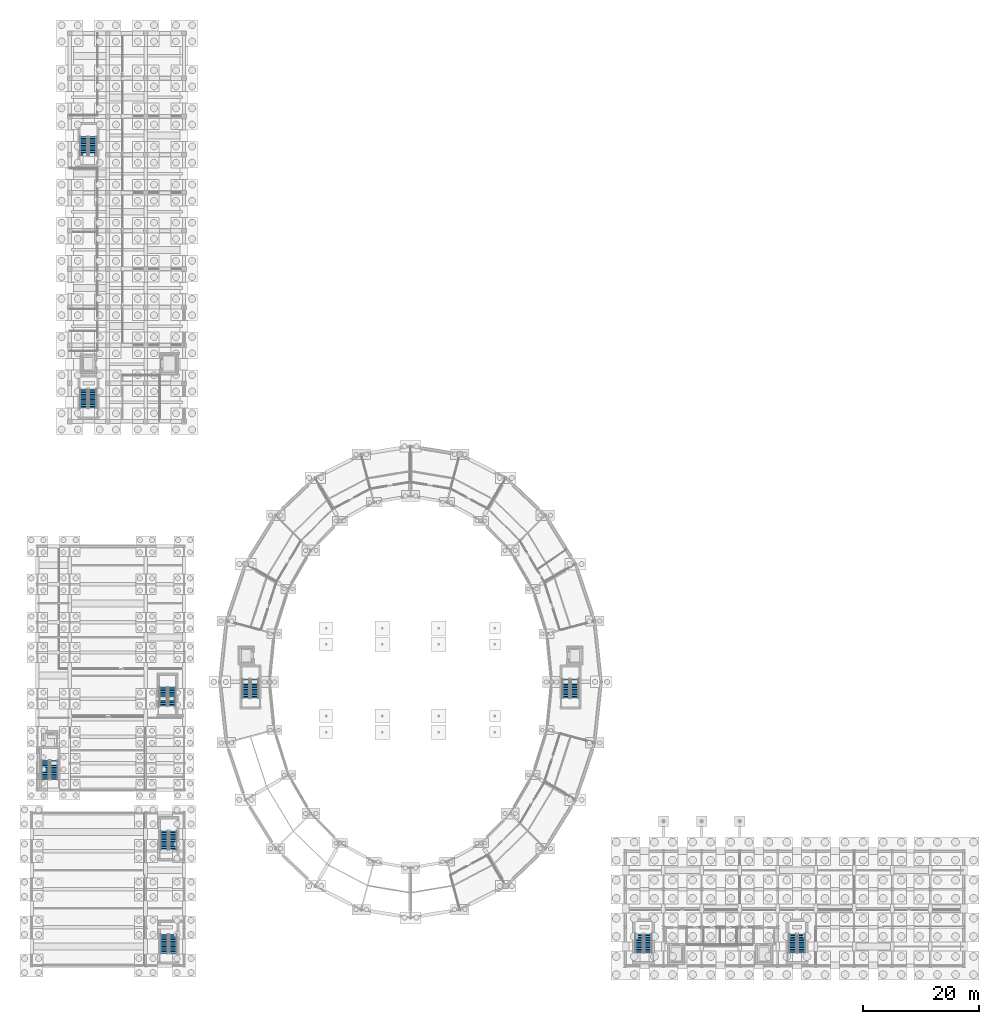
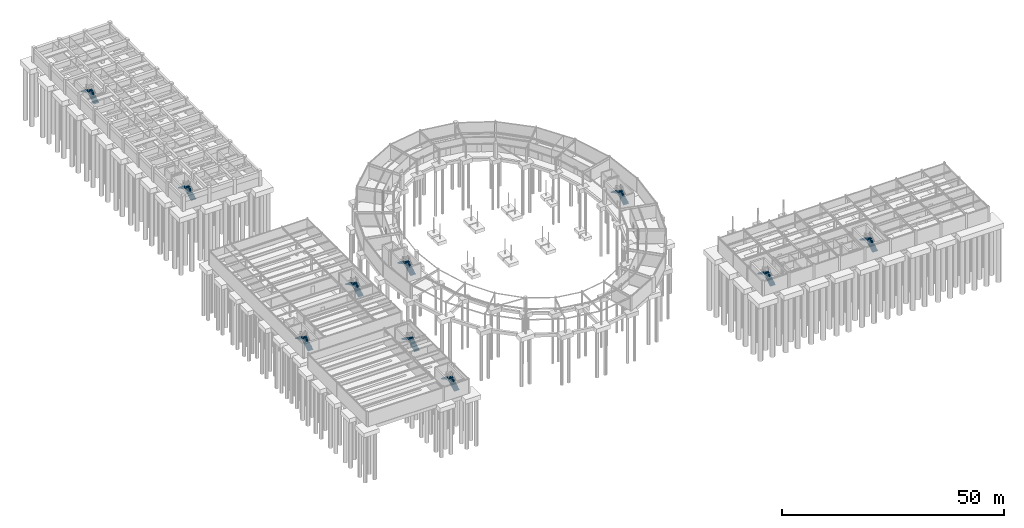
# One storey, part 50 of 58: 20 stair flights, 10 elements without a shape of their own.
"""IFC4 building model written with IfcOpenShell, lengths in metres."""

from ifc_helpers import new_model, si_unit, direction, frame, origin, place, context, subcontext, project, spatial, polyline, outline, extrude, material, type_object, element, aggregate, save


model = new_model("IFC4")

# Units and contexts
model_context = context("Model", 3, precision=1e-05, world=origin(), true_north=direction((0.0, 1.0)))
body_context = subcontext(model_context, "Body", "Model", "MODEL_VIEW")
ifc_project = project(units=[si_unit("LENGTHUNIT", "METRE"), si_unit("AREAUNIT", "SQUARE_METRE"), si_unit("VOLUMEUNIT", "CUBIC_METRE"), si_unit("PLANEANGLEUNIT", "RADIAN"), si_unit("MASSUNIT", "GRAM", prefix="KILO")], contexts=[model_context])

# Site, building, storey
site_placement = place(None, origin())
site = spatial("IfcSite", under=ifc_project, at=site_placement, CompositionType="ELEMENT")
building_placement = place(site_placement, origin())
building = spatial("IfcBuilding", under=site, at=building_placement, Name="Karori Crest Natural Sciences Institute", CompositionType="ELEMENT")
storey_placement = place(building_placement, frame((0.0, 0.0, -4.199951171875)))
storey = spatial("IfcBuildingStorey", under=building, at=storey_placement, Name="B1", CompositionType="ELEMENT", Elevation=-4.199951171875)

# Stair, stair flights
ifc_material = material(Name="Concrete 40 MPa", Category="concrete")
stair_type = type_object("IfcStairType", Name="STT-01", PredefinedType="HALF_TURN_STAIR", material=ifc_material)
stair_1_placement = place(storey_placement, origin())
stair_1 = element("IfcStair", 1, at=stair_1_placement, inside=storey, type_object=stair_type, Name="Protected stair ST-01-B1", PredefinedType="HALF_TURN_STAIR")
stair_flight_type = type_object("IfcStairFlightType", Name="SFT-01", PredefinedType="STRAIGHT", material=ifc_material)
stair_flight_1_placement = place(storey_placement, frame((94.875, 47.10009765625, 0.0), z_axis=(0.0, 0.0, 1.0), x_axis=(0.0, 1.0, 0.0)))
stair_flight_1 = element("IfcStairFlight", 2, at=stair_flight_1_placement, type_object=stair_flight_type, Name="ST-01-B1 flight 1", NumberOfRisers=12, NumberOfTreads=11, PredefinedType="STRAIGHT", RiserHeight=0.175, TreadLength=0.3, context=body_context, shape_type="SweptSolid", body=[
    extrude(outline(polyline([(0.0, 0.0), (0.0, 0.175048828125), (0.300048828125, 0.175048828125), (0.300048828125, 0.35009765625), (0.60009765625, 0.35009765625), (0.60009765625, 0.52490234375), (0.89990234375, 0.52490234375), (0.89990234375, 0.699951171875), (1.199951171875, 0.699951171875), (1.199951171875, 0.875), (1.5, 0.875), (1.5, 1.050048828125), (1.800048828125, 1.050048828125), (1.800048828125, 1.22509765625), (2.10009765625, 1.22509765625), (2.10009765625, 1.39990234375), (2.39990234375, 1.39990234375), (2.39990234375, 1.574951171875), (2.699951171875, 1.574951171875), (2.699951171875, 1.75), (3.0, 1.75), (3.0, 1.925048828125), (3.300048828125, 1.925048828125), (3.300048828125, 2.10009765625), (3.300048828125, 1.739990234375), (0.3173828125, 0.0), (0.0, 0.0)])), frame((0.0, 0.675048828125, 0.0), z_axis=(0.0, -1.0, 0.0), x_axis=(1.0, 0.0, 0.0)), (0.0, 0.0, 1.0), 1.35009765625),
])
stair_flight_2_placement = place(storey_placement, frame((93.324951171875, 50.39990234375, 2.099853515625), z_axis=(0.0, 0.0, 1.0), x_axis=(0.0, -1.0, 0.0)))
stair_flight_2 = element("IfcStairFlight", 3, at=stair_flight_2_placement, type_object=stair_flight_type, Name="ST-01-B1 flight 2", NumberOfRisers=12, NumberOfTreads=11, PredefinedType="STRAIGHT", RiserHeight=0.175, TreadLength=0.3, context=body_context, shape_type="SweptSolid", body=[
    extrude(outline(polyline([(0.0, 0.0), (0.0, 0.175048828125), (0.300048828125, 0.175048828125), (0.300048828125, 0.35009765625), (0.60009765625, 0.35009765625), (0.60009765625, 0.52490234375), (0.89990234375, 0.52490234375), (0.89990234375, 0.699951171875), (1.199951171875, 0.699951171875), (1.199951171875, 0.875), (1.5, 0.875), (1.5, 1.050048828125), (1.800048828125, 1.050048828125), (1.800048828125, 1.22509765625), (2.10009765625, 1.22509765625), (2.10009765625, 1.39990234375), (2.39990234375, 1.39990234375), (2.39990234375, 1.574951171875), (2.699951171875, 1.574951171875), (2.699951171875, 1.75), (3.0, 1.75), (3.0, 1.925048828125), (3.300048828125, 1.925048828125), (3.300048828125, 2.10009765625), (3.300048828125, 1.739990234375), (0.3173828125, 0.0), (0.0, 0.0)])), frame((0.0, 0.675048828125, 0.0), z_axis=(0.0, -1.0, 0.0), x_axis=(1.0, 0.0, 0.0)), (0.0, 0.0, 1.0), 1.35009765625),
])
aggregate(stair_1, [stair_flight_1, stair_flight_2])

stair_2_placement = place(storey_placement, origin())
stair_2 = element("IfcStair", 4, at=stair_2_placement, inside=storey, type_object=stair_type, Name="Protected stair ST-02-B1", PredefinedType="HALF_TURN_STAIR")
stair_flight_3_placement = place(storey_placement, frame((39.47509765625, 47.10009765625, 0.0), z_axis=(0.0, 0.0, 1.0), x_axis=(0.0, 1.0, 0.0)))
stair_flight_3 = element("IfcStairFlight", 5, at=stair_flight_3_placement, type_object=stair_flight_type, Name="ST-02-B1 flight 1", NumberOfRisers=12, NumberOfTreads=11, PredefinedType="STRAIGHT", RiserHeight=0.175, TreadLength=0.3, context=body_context, shape_type="SweptSolid", body=[
    extrude(outline(polyline([(0.0, 0.0), (0.0, 0.175048828125), (0.300048828125, 0.175048828125), (0.300048828125, 0.35009765625), (0.60009765625, 0.35009765625), (0.60009765625, 0.52490234375), (0.89990234375, 0.52490234375), (0.89990234375, 0.699951171875), (1.199951171875, 0.699951171875), (1.199951171875, 0.875), (1.5, 0.875), (1.5, 1.050048828125), (1.800048828125, 1.050048828125), (1.800048828125, 1.22509765625), (2.10009765625, 1.22509765625), (2.10009765625, 1.39990234375), (2.39990234375, 1.39990234375), (2.39990234375, 1.574951171875), (2.699951171875, 1.574951171875), (2.699951171875, 1.75), (3.0, 1.75), (3.0, 1.925048828125), (3.300048828125, 1.925048828125), (3.300048828125, 2.10009765625), (3.300048828125, 1.739990234375), (0.3173828125, 0.0), (0.0, 0.0)])), frame((0.0, 0.675048828125, 0.0), z_axis=(0.0, -1.0, 0.0), x_axis=(1.0, 0.0, 0.0)), (0.0, 0.0, 1.0), 1.35009765625),
])
stair_flight_4_placement = place(storey_placement, frame((37.925048828125, 50.39990234375, 2.099853515625), z_axis=(0.0, 0.0, 1.0), x_axis=(0.0, -1.0, 0.0)))
stair_flight_4 = element("IfcStairFlight", 6, at=stair_flight_4_placement, type_object=stair_flight_type, Name="ST-02-B1 flight 2", NumberOfRisers=12, NumberOfTreads=11, PredefinedType="STRAIGHT", RiserHeight=0.175, TreadLength=0.3, context=body_context, shape_type="SweptSolid", body=[
    extrude(outline(polyline([(0.0, 0.0), (0.0, 0.175048828125), (0.300048828125, 0.175048828125), (0.300048828125, 0.35009765625), (0.60009765625, 0.35009765625), (0.60009765625, 0.52490234375), (0.89990234375, 0.52490234375), (0.89990234375, 0.699951171875), (1.199951171875, 0.699951171875), (1.199951171875, 0.875), (1.5, 0.875), (1.5, 1.050048828125), (1.800048828125, 1.050048828125), (1.800048828125, 1.22509765625), (2.10009765625, 1.22509765625), (2.10009765625, 1.39990234375), (2.39990234375, 1.39990234375), (2.39990234375, 1.574951171875), (2.699951171875, 1.574951171875), (2.699951171875, 1.75), (3.0, 1.75), (3.0, 1.925048828125), (3.300048828125, 1.925048828125), (3.300048828125, 2.10009765625), (3.300048828125, 1.739990234375), (0.3173828125, 0.0), (0.0, 0.0)])), frame((0.0, 0.675048828125, 0.0), z_axis=(0.0, -1.0, 0.0), x_axis=(1.0, 0.0, 0.0)), (0.0, 0.0, 1.0), 1.35009765625),
])
aggregate(stair_2, [stair_flight_3, stair_flight_4])

stair_3_placement = place(storey_placement, origin())
stair_3 = element("IfcStair", 7, at=stair_3_placement, inside=storey, type_object=stair_type, Name="Protected stair ST-03-B1", PredefinedType="HALF_TURN_STAIR")
stair_flight_5_placement = place(storey_placement, frame((107.52490234375, 3.0, 0.0), z_axis=(0.0, 0.0, 1.0), x_axis=(0.0, 1.0, 0.0)))
stair_flight_5 = element("IfcStairFlight", 8, at=stair_flight_5_placement, type_object=stair_flight_type, Name="ST-03-B1 flight 1", NumberOfRisers=12, NumberOfTreads=11, PredefinedType="STRAIGHT", RiserHeight=0.175, TreadLength=0.3, context=body_context, shape_type="SweptSolid", body=[
    extrude(outline(polyline([(0.0, 0.0), (0.0, 0.175048828125), (0.300048828125, 0.175048828125), (0.300048828125, 0.35009765625), (0.60009765625, 0.35009765625), (0.60009765625, 0.52490234375), (0.89990234375, 0.52490234375), (0.89990234375, 0.699951171875), (1.199951171875, 0.699951171875), (1.199951171875, 0.875), (1.5, 0.875), (1.5, 1.050048828125), (1.800048828125, 1.050048828125), (1.800048828125, 1.22509765625), (2.10009765625, 1.22509765625), (2.10009765625, 1.39990234375), (2.39990234375, 1.39990234375), (2.39990234375, 1.574951171875), (2.699951171875, 1.574951171875), (2.699951171875, 1.75), (3.0, 1.75), (3.0, 1.925048828125), (3.300048828125, 1.925048828125), (3.300048828125, 2.10009765625), (3.300048828125, 1.739990234375), (0.3173828125, 0.0), (0.0, 0.0)])), frame((0.0, 0.675048828125, 0.0), z_axis=(0.0, -1.0, 0.0), x_axis=(1.0, 0.0, 0.0)), (0.0, 0.0, 1.0), 1.35009765625),
])
stair_flight_6_placement = place(storey_placement, frame((105.97509765625, 6.300048828125, 2.099853515625), z_axis=(0.0, 0.0, 1.0), x_axis=(0.0, -1.0, 0.0)))
stair_flight_6 = element("IfcStairFlight", 9, at=stair_flight_6_placement, type_object=stair_flight_type, Name="ST-03-B1 flight 2", NumberOfRisers=12, NumberOfTreads=11, PredefinedType="STRAIGHT", RiserHeight=0.175, TreadLength=0.3, context=body_context, shape_type="SweptSolid", body=[
    extrude(outline(polyline([(0.0, 0.0), (0.0, 0.175048828125), (0.300048828125, 0.175048828125), (0.300048828125, 0.35009765625), (0.60009765625, 0.35009765625), (0.60009765625, 0.52490234375), (0.89990234375, 0.52490234375), (0.89990234375, 0.699951171875), (1.199951171875, 0.699951171875), (1.199951171875, 0.875), (1.5, 0.875), (1.5, 1.050048828125), (1.800048828125, 1.050048828125), (1.800048828125, 1.22509765625), (2.10009765625, 1.22509765625), (2.10009765625, 1.39990234375), (2.39990234375, 1.39990234375), (2.39990234375, 1.574951171875), (2.699951171875, 1.574951171875), (2.699951171875, 1.75), (3.0, 1.75), (3.0, 1.925048828125), (3.300048828125, 1.925048828125), (3.300048828125, 2.10009765625), (3.300048828125, 1.739990234375), (0.3173828125, 0.0), (0.0, 0.0)])), frame((0.0, 0.675048828125, 0.0), z_axis=(0.0, -1.0, 0.0), x_axis=(1.0, 0.0, 0.0)), (0.0, 0.0, 1.0), 1.35009765625),
])
aggregate(stair_3, [stair_flight_5, stair_flight_6])

stair_4_placement = place(storey_placement, origin())
stair_4 = element("IfcStair", 10, at=stair_4_placement, inside=storey, type_object=stair_type, Name="Protected stair ST-04-B1", PredefinedType="HALF_TURN_STAIR")
stair_flight_7_placement = place(storey_placement, frame((134.125, 3.0, 0.0), z_axis=(0.0, 0.0, 1.0), x_axis=(0.0, 1.0, 0.0)))
stair_flight_7 = element("IfcStairFlight", 11, at=stair_flight_7_placement, type_object=stair_flight_type, Name="ST-04-B1 flight 1", NumberOfRisers=12, NumberOfTreads=11, PredefinedType="STRAIGHT", RiserHeight=0.175, TreadLength=0.3, context=body_context, shape_type="SweptSolid", body=[
    extrude(outline(polyline([(0.0, 0.0), (0.0, 0.175048828125), (0.300048828125, 0.175048828125), (0.300048828125, 0.35009765625), (0.60009765625, 0.35009765625), (0.60009765625, 0.52490234375), (0.89990234375, 0.52490234375), (0.89990234375, 0.699951171875), (1.199951171875, 0.699951171875), (1.199951171875, 0.875), (1.5, 0.875), (1.5, 1.050048828125), (1.800048828125, 1.050048828125), (1.800048828125, 1.22509765625), (2.10009765625, 1.22509765625), (2.10009765625, 1.39990234375), (2.39990234375, 1.39990234375), (2.39990234375, 1.574951171875), (2.699951171875, 1.574951171875), (2.699951171875, 1.75), (3.0, 1.75), (3.0, 1.925048828125), (3.300048828125, 1.925048828125), (3.300048828125, 2.10009765625), (3.300048828125, 1.739990234375), (0.3173828125, 0.0), (0.0, 0.0)])), frame((0.0, 0.675048828125, 0.0), z_axis=(0.0, -1.0, 0.0), x_axis=(1.0, 0.0, 0.0)), (0.0, 0.0, 1.0), 1.35009765625),
])
stair_flight_8_placement = place(storey_placement, frame((132.574951171875, 6.300048828125, 2.099853515625), z_axis=(0.0, 0.0, 1.0), x_axis=(0.0, -1.0, 0.0)))
stair_flight_8 = element("IfcStairFlight", 12, at=stair_flight_8_placement, type_object=stair_flight_type, Name="ST-04-B1 flight 2", NumberOfRisers=12, NumberOfTreads=11, PredefinedType="STRAIGHT", RiserHeight=0.175, TreadLength=0.3, context=body_context, shape_type="SweptSolid", body=[
    extrude(outline(polyline([(0.0, 0.0), (0.0, 0.175048828125), (0.300048828125, 0.175048828125), (0.300048828125, 0.35009765625), (0.60009765625, 0.35009765625), (0.60009765625, 0.52490234375), (0.89990234375, 0.52490234375), (0.89990234375, 0.699951171875), (1.199951171875, 0.699951171875), (1.199951171875, 0.875), (1.5, 0.875), (1.5, 1.050048828125), (1.800048828125, 1.050048828125), (1.800048828125, 1.22509765625), (2.10009765625, 1.22509765625), (2.10009765625, 1.39990234375), (2.39990234375, 1.39990234375), (2.39990234375, 1.574951171875), (2.699951171875, 1.574951171875), (2.699951171875, 1.75), (3.0, 1.75), (3.0, 1.925048828125), (3.300048828125, 1.925048828125), (3.300048828125, 2.10009765625), (3.300048828125, 1.739990234375), (0.3173828125, 0.0), (0.0, 0.0)])), frame((0.0, 0.675048828125, 0.0), z_axis=(0.0, -1.0, 0.0), x_axis=(1.0, 0.0, 0.0)), (0.0, 0.0, 1.0), 1.35009765625),
])
aggregate(stair_4, [stair_flight_7, stair_flight_8])

stair_5_placement = place(storey_placement, origin())
stair_5 = element("IfcStair", 13, at=stair_5_placement, inside=storey, type_object=stair_type, Name="Protected stair ST-05-B1", PredefinedType="HALF_TURN_STAIR")
stair_flight_9_placement = place(storey_placement, frame((11.425048828125, 97.300048828125, 0.0), z_axis=(0.0, 0.0, 1.0), x_axis=(0.0, 1.0, 0.0)))
stair_flight_9 = element("IfcStairFlight", 14, at=stair_flight_9_placement, type_object=stair_flight_type, Name="ST-05-B1 flight 1", NumberOfRisers=12, NumberOfTreads=11, PredefinedType="STRAIGHT", RiserHeight=0.175, TreadLength=0.3, context=body_context, shape_type="SweptSolid", body=[
    extrude(outline(polyline([(0.0, 0.0), (0.0, 0.175048828125), (0.300048828125, 0.175048828125), (0.300048828125, 0.35009765625), (0.60009765625, 0.35009765625), (0.60009765625, 0.52490234375), (0.89990234375, 0.52490234375), (0.89990234375, 0.699951171875), (1.199951171875, 0.699951171875), (1.199951171875, 0.875), (1.5, 0.875), (1.5, 1.050048828125), (1.800048828125, 1.050048828125), (1.800048828125, 1.22509765625), (2.10009765625, 1.22509765625), (2.10009765625, 1.39990234375), (2.39990234375, 1.39990234375), (2.39990234375, 1.574951171875), (2.699951171875, 1.574951171875), (2.699951171875, 1.75), (3.0, 1.75), (3.0, 1.925048828125), (3.300048828125, 1.925048828125), (3.300048828125, 2.10009765625), (3.300048828125, 1.739990234375), (0.3173828125, 0.0), (0.0, 0.0)])), frame((0.0, 0.675048828125, 0.0), z_axis=(0.0, -1.0, 0.0), x_axis=(1.0, 0.0, 0.0)), (0.0, 0.0, 1.0), 1.35009765625),
])
stair_flight_10_placement = place(storey_placement, frame((9.875, 100.60009765625, 2.099853515625), z_axis=(0.0, 0.0, 1.0), x_axis=(0.0, -1.0, 0.0)))
stair_flight_10 = element("IfcStairFlight", 15, at=stair_flight_10_placement, type_object=stair_flight_type, Name="ST-05-B1 flight 2", NumberOfRisers=12, NumberOfTreads=11, PredefinedType="STRAIGHT", RiserHeight=0.175, TreadLength=0.3, context=body_context, shape_type="SweptSolid", body=[
    extrude(outline(polyline([(0.0, 0.0), (0.0, 0.175048828125), (0.300048828125, 0.175048828125), (0.300048828125, 0.35009765625), (0.60009765625, 0.35009765625), (0.60009765625, 0.52490234375), (0.89990234375, 0.52490234375), (0.89990234375, 0.699951171875), (1.199951171875, 0.699951171875), (1.199951171875, 0.875), (1.5, 0.875), (1.5, 1.050048828125), (1.800048828125, 1.050048828125), (1.800048828125, 1.22509765625), (2.10009765625, 1.22509765625), (2.10009765625, 1.39990234375), (2.39990234375, 1.39990234375), (2.39990234375, 1.574951171875), (2.699951171875, 1.574951171875), (2.699951171875, 1.75), (3.0, 1.75), (3.0, 1.925048828125), (3.300048828125, 1.925048828125), (3.300048828125, 2.10009765625), (3.300048828125, 1.739990234375), (0.3173828125, 0.0), (0.0, 0.0)])), frame((0.0, 0.675048828125, 0.0), z_axis=(0.0, -1.0, 0.0), x_axis=(1.0, 0.0, 0.0)), (0.0, 0.0, 1.0), 1.35009765625),
])
aggregate(stair_5, [stair_flight_9, stair_flight_10])

stair_6_placement = place(storey_placement, origin())
stair_6 = element("IfcStair", 16, at=stair_6_placement, inside=storey, type_object=stair_type, Name="Protected stair ST-06-B1", PredefinedType="HALF_TURN_STAIR")
stair_flight_11_placement = place(storey_placement, frame((11.425048828125, 141.0, 0.0), z_axis=(0.0, 0.0, 1.0), x_axis=(0.0, 1.0, 0.0)))
stair_flight_11 = element("IfcStairFlight", 17, at=stair_flight_11_placement, type_object=stair_flight_type, Name="ST-06-B1 flight 1", NumberOfRisers=12, NumberOfTreads=11, PredefinedType="STRAIGHT", RiserHeight=0.175, TreadLength=0.3, context=body_context, shape_type="SweptSolid", body=[
    extrude(outline(polyline([(0.0, 0.0), (0.0, 0.175048828125), (0.300048828125, 0.175048828125), (0.300048828125, 0.35009765625), (0.60009765625, 0.35009765625), (0.60009765625, 0.52490234375), (0.89990234375, 0.52490234375), (0.89990234375, 0.699951171875), (1.199951171875, 0.699951171875), (1.199951171875, 0.875), (1.5, 0.875), (1.5, 1.050048828125), (1.800048828125, 1.050048828125), (1.800048828125, 1.22509765625), (2.10009765625, 1.22509765625), (2.10009765625, 1.39990234375), (2.39990234375, 1.39990234375), (2.39990234375, 1.574951171875), (2.699951171875, 1.574951171875), (2.699951171875, 1.75), (3.0, 1.75), (3.0, 1.925048828125), (3.300048828125, 1.925048828125), (3.300048828125, 2.10009765625), (3.300048828125, 1.739990234375), (0.3173828125, 0.0), (0.0, 0.0)])), frame((0.0, 0.675048828125, 0.0), z_axis=(0.0, -1.0, 0.0), x_axis=(1.0, 0.0, 0.0)), (0.0, 0.0, 1.0), 1.35009765625),
])
stair_flight_12_placement = place(storey_placement, frame((9.875, 144.300048828125, 2.099853515625), z_axis=(0.0, 0.0, 1.0), x_axis=(0.0, -1.0, 0.0)))
stair_flight_12 = element("IfcStairFlight", 18, at=stair_flight_12_placement, type_object=stair_flight_type, Name="ST-06-B1 flight 2", NumberOfRisers=12, NumberOfTreads=11, PredefinedType="STRAIGHT", RiserHeight=0.175, TreadLength=0.3, context=body_context, shape_type="SweptSolid", body=[
    extrude(outline(polyline([(0.0, 0.0), (0.0, 0.175048828125), (0.300048828125, 0.175048828125), (0.300048828125, 0.35009765625), (0.60009765625, 0.35009765625), (0.60009765625, 0.52490234375), (0.89990234375, 0.52490234375), (0.89990234375, 0.699951171875), (1.199951171875, 0.699951171875), (1.199951171875, 0.875), (1.5, 0.875), (1.5, 1.050048828125), (1.800048828125, 1.050048828125), (1.800048828125, 1.22509765625), (2.10009765625, 1.22509765625), (2.10009765625, 1.39990234375), (2.39990234375, 1.39990234375), (2.39990234375, 1.574951171875), (2.699951171875, 1.574951171875), (2.699951171875, 1.75), (3.0, 1.75), (3.0, 1.925048828125), (3.300048828125, 1.925048828125), (3.300048828125, 2.10009765625), (3.300048828125, 1.739990234375), (0.3173828125, 0.0), (0.0, 0.0)])), frame((0.0, 0.675048828125, 0.0), z_axis=(0.0, -1.0, 0.0), x_axis=(1.0, 0.0, 0.0)), (0.0, 0.0, 1.0), 1.35009765625),
])
aggregate(stair_6, [stair_flight_11, stair_flight_12])

stair_7_placement = place(storey_placement, origin())
stair_7 = element("IfcStair", 19, at=stair_7_placement, inside=storey, type_object=stair_type, Name="Protected stair ST-07-B1", PredefinedType="HALF_TURN_STAIR")
stair_flight_13_placement = place(storey_placement, frame((4.72509765625, 33.0, 0.0), z_axis=(0.0, 0.0, 1.0), x_axis=(0.0, 1.0, 0.0)))
stair_flight_13 = element("IfcStairFlight", 20, at=stair_flight_13_placement, type_object=stair_flight_type, Name="ST-07-B1 flight 1", NumberOfRisers=12, NumberOfTreads=11, PredefinedType="STRAIGHT", RiserHeight=0.175, TreadLength=0.3, context=body_context, shape_type="SweptSolid", body=[
    extrude(outline(polyline([(0.0, 0.0), (0.0, 0.175048828125), (0.300048828125, 0.175048828125), (0.300048828125, 0.35009765625), (0.60009765625, 0.35009765625), (0.60009765625, 0.52490234375), (0.89990234375, 0.52490234375), (0.89990234375, 0.699951171875), (1.199951171875, 0.699951171875), (1.199951171875, 0.875), (1.5, 0.875), (1.5, 1.050048828125), (1.800048828125, 1.050048828125), (1.800048828125, 1.22509765625), (2.10009765625, 1.22509765625), (2.10009765625, 1.39990234375), (2.39990234375, 1.39990234375), (2.39990234375, 1.574951171875), (2.699951171875, 1.574951171875), (2.699951171875, 1.75), (3.0, 1.75), (3.0, 1.925048828125), (3.300048828125, 1.925048828125), (3.300048828125, 2.10009765625), (3.300048828125, 1.739990234375), (0.3173828125, 0.0), (0.0, 0.0)])), frame((0.0, 0.675048828125, 0.0), z_axis=(0.0, -1.0, 0.0), x_axis=(1.0, 0.0, 0.0)), (0.0, 0.0, 1.0), 1.35009765625),
])
stair_flight_14_placement = place(storey_placement, frame((3.175048828125, 36.300048828125, 2.099853515625), z_axis=(0.0, 0.0, 1.0), x_axis=(0.0, -1.0, 0.0)))
stair_flight_14 = element("IfcStairFlight", 21, at=stair_flight_14_placement, type_object=stair_flight_type, Name="ST-07-B1 flight 2", NumberOfRisers=12, NumberOfTreads=11, PredefinedType="STRAIGHT", RiserHeight=0.175, TreadLength=0.3, context=body_context, shape_type="SweptSolid", body=[
    extrude(outline(polyline([(0.0, 0.0), (0.0, 0.175048828125), (0.300048828125, 0.175048828125), (0.300048828125, 0.35009765625), (0.60009765625, 0.35009765625), (0.60009765625, 0.52490234375), (0.89990234375, 0.52490234375), (0.89990234375, 0.699951171875), (1.199951171875, 0.699951171875), (1.199951171875, 0.875), (1.5, 0.875), (1.5, 1.050048828125), (1.800048828125, 1.050048828125), (1.800048828125, 1.22509765625), (2.10009765625, 1.22509765625), (2.10009765625, 1.39990234375), (2.39990234375, 1.39990234375), (2.39990234375, 1.574951171875), (2.699951171875, 1.574951171875), (2.699951171875, 1.75), (3.0, 1.75), (3.0, 1.925048828125), (3.300048828125, 1.925048828125), (3.300048828125, 2.10009765625), (3.300048828125, 1.739990234375), (0.3173828125, 0.0), (0.0, 0.0)])), frame((0.0, 0.675048828125, 0.0), z_axis=(0.0, -1.0, 0.0), x_axis=(1.0, 0.0, 0.0)), (0.0, 0.0, 1.0), 1.35009765625),
])
aggregate(stair_7, [stair_flight_13, stair_flight_14])

stair_8_placement = place(storey_placement, origin())
stair_8 = element("IfcStair", 22, at=stair_8_placement, inside=storey, type_object=stair_type, Name="Protected stair ST-08-B1", PredefinedType="HALF_TURN_STAIR")
stair_flight_15_placement = place(storey_placement, frame((25.125, 45.699951171875, 0.0), z_axis=(0.0, 0.0, 1.0), x_axis=(0.0, 1.0, 0.0)))
stair_flight_15 = element("IfcStairFlight", 23, at=stair_flight_15_placement, type_object=stair_flight_type, Name="ST-08-B1 flight 1", NumberOfRisers=12, NumberOfTreads=11, PredefinedType="STRAIGHT", RiserHeight=0.175, TreadLength=0.3, context=body_context, shape_type="SweptSolid", body=[
    extrude(outline(polyline([(0.0, 0.0), (0.0, 0.175048828125), (0.300048828125, 0.175048828125), (0.300048828125, 0.35009765625), (0.60009765625, 0.35009765625), (0.60009765625, 0.52490234375), (0.89990234375, 0.52490234375), (0.89990234375, 0.699951171875), (1.199951171875, 0.699951171875), (1.199951171875, 0.875), (1.5, 0.875), (1.5, 1.050048828125), (1.800048828125, 1.050048828125), (1.800048828125, 1.22509765625), (2.10009765625, 1.22509765625), (2.10009765625, 1.39990234375), (2.39990234375, 1.39990234375), (2.39990234375, 1.574951171875), (2.699951171875, 1.574951171875), (2.699951171875, 1.75), (3.0, 1.75), (3.0, 1.925048828125), (3.300048828125, 1.925048828125), (3.300048828125, 2.10009765625), (3.300048828125, 1.739990234375), (0.3173828125, 0.0), (0.0, 0.0)])), frame((0.0, 0.675048828125, 0.0), z_axis=(0.0, -1.0, 0.0), x_axis=(1.0, 0.0, 0.0)), (0.0, 0.0, 1.0), 1.35009765625),
])
stair_flight_16_placement = place(storey_placement, frame((23.574951171875, 49.0, 2.099853515625), z_axis=(0.0, 0.0, 1.0), x_axis=(0.0, -1.0, 0.0)))
stair_flight_16 = element("IfcStairFlight", 24, at=stair_flight_16_placement, type_object=stair_flight_type, Name="ST-08-B1 flight 2", NumberOfRisers=12, NumberOfTreads=11, PredefinedType="STRAIGHT", RiserHeight=0.175, TreadLength=0.3, context=body_context, shape_type="SweptSolid", body=[
    extrude(outline(polyline([(0.0, 0.0), (0.0, 0.175048828125), (0.300048828125, 0.175048828125), (0.300048828125, 0.35009765625), (0.60009765625, 0.35009765625), (0.60009765625, 0.52490234375), (0.89990234375, 0.52490234375), (0.89990234375, 0.699951171875), (1.199951171875, 0.699951171875), (1.199951171875, 0.875), (1.5, 0.875), (1.5, 1.050048828125), (1.800048828125, 1.050048828125), (1.800048828125, 1.22509765625), (2.10009765625, 1.22509765625), (2.10009765625, 1.39990234375), (2.39990234375, 1.39990234375), (2.39990234375, 1.574951171875), (2.699951171875, 1.574951171875), (2.699951171875, 1.75), (3.0, 1.75), (3.0, 1.925048828125), (3.300048828125, 1.925048828125), (3.300048828125, 2.10009765625), (3.300048828125, 1.739990234375), (0.3173828125, 0.0), (0.0, 0.0)])), frame((0.0, 0.675048828125, 0.0), z_axis=(0.0, -1.0, 0.0), x_axis=(1.0, 0.0, 0.0)), (0.0, 0.0, 1.0), 1.35009765625),
])
aggregate(stair_8, [stair_flight_15, stair_flight_16])

stair_9_placement = place(storey_placement, origin())
stair_9 = element("IfcStair", 25, at=stair_9_placement, inside=storey, type_object=stair_type, Name="Protected stair ST-09-B1", PredefinedType="HALF_TURN_STAIR")
stair_flight_17_placement = place(storey_placement, frame((25.324951171875, 2.89990234375, 0.0), z_axis=(0.0, 0.0, 1.0), x_axis=(0.0, 1.0, 0.0)))
stair_flight_17 = element("IfcStairFlight", 26, at=stair_flight_17_placement, type_object=stair_flight_type, Name="ST-09-B1 flight 1", NumberOfRisers=12, NumberOfTreads=11, PredefinedType="STRAIGHT", RiserHeight=0.175, TreadLength=0.3, context=body_context, shape_type="SweptSolid", body=[
    extrude(outline(polyline([(0.0, 0.0), (0.0, 0.175048828125), (0.300048828125, 0.175048828125), (0.300048828125, 0.35009765625), (0.60009765625, 0.35009765625), (0.60009765625, 0.52490234375), (0.89990234375, 0.52490234375), (0.89990234375, 0.699951171875), (1.199951171875, 0.699951171875), (1.199951171875, 0.875), (1.5, 0.875), (1.5, 1.050048828125), (1.800048828125, 1.050048828125), (1.800048828125, 1.22509765625), (2.10009765625, 1.22509765625), (2.10009765625, 1.39990234375), (2.39990234375, 1.39990234375), (2.39990234375, 1.574951171875), (2.699951171875, 1.574951171875), (2.699951171875, 1.75), (3.0, 1.75), (3.0, 1.925048828125), (3.300048828125, 1.925048828125), (3.300048828125, 2.10009765625), (3.300048828125, 1.739990234375), (0.3173828125, 0.0), (0.0, 0.0)])), frame((0.0, 0.675048828125, 0.0), z_axis=(0.0, -1.0, 0.0), x_axis=(1.0, 0.0, 0.0)), (0.0, 0.0, 1.0), 1.35009765625),
])
stair_flight_18_placement = place(storey_placement, frame((23.77490234375, 6.199951171875, 2.099853515625), z_axis=(0.0, 0.0, 1.0), x_axis=(0.0, -1.0, 0.0)))
stair_flight_18 = element("IfcStairFlight", 27, at=stair_flight_18_placement, type_object=stair_flight_type, Name="ST-09-B1 flight 2", NumberOfRisers=12, NumberOfTreads=11, PredefinedType="STRAIGHT", RiserHeight=0.175, TreadLength=0.3, context=body_context, shape_type="SweptSolid", body=[
    extrude(outline(polyline([(0.0, 0.0), (0.0, 0.175048828125), (0.300048828125, 0.175048828125), (0.300048828125, 0.35009765625), (0.60009765625, 0.35009765625), (0.60009765625, 0.52490234375), (0.89990234375, 0.52490234375), (0.89990234375, 0.699951171875), (1.199951171875, 0.699951171875), (1.199951171875, 0.875), (1.5, 0.875), (1.5, 1.050048828125), (1.800048828125, 1.050048828125), (1.800048828125, 1.22509765625), (2.10009765625, 1.22509765625), (2.10009765625, 1.39990234375), (2.39990234375, 1.39990234375), (2.39990234375, 1.574951171875), (2.699951171875, 1.574951171875), (2.699951171875, 1.75), (3.0, 1.75), (3.0, 1.925048828125), (3.300048828125, 1.925048828125), (3.300048828125, 2.10009765625), (3.300048828125, 1.739990234375), (0.3173828125, 0.0), (0.0, 0.0)])), frame((0.0, 0.675048828125, 0.0), z_axis=(0.0, -1.0, 0.0), x_axis=(1.0, 0.0, 0.0)), (0.0, 0.0, 1.0), 1.35009765625),
])
aggregate(stair_9, [stair_flight_17, stair_flight_18])

stair_10_placement = place(storey_placement, origin())
stair_10 = element("IfcStair", 28, at=stair_10_placement, inside=storey, type_object=stair_type, Name="Protected stair ST-10-B1", PredefinedType="HALF_TURN_STAIR")
stair_flight_19_placement = place(storey_placement, frame((25.324951171875, 20.800048828125, 0.0), z_axis=(0.0, 0.0, 1.0), x_axis=(0.0, 1.0, 0.0)))
stair_flight_19 = element("IfcStairFlight", 29, at=stair_flight_19_placement, type_object=stair_flight_type, Name="ST-10-B1 flight 1", NumberOfRisers=12, NumberOfTreads=11, PredefinedType="STRAIGHT", RiserHeight=0.175, TreadLength=0.3, context=body_context, shape_type="SweptSolid", body=[
    extrude(outline(polyline([(0.0, 0.0), (0.0, 0.175048828125), (0.300048828125, 0.175048828125), (0.300048828125, 0.35009765625), (0.60009765625, 0.35009765625), (0.60009765625, 0.52490234375), (0.89990234375, 0.52490234375), (0.89990234375, 0.699951171875), (1.199951171875, 0.699951171875), (1.199951171875, 0.875), (1.5, 0.875), (1.5, 1.050048828125), (1.800048828125, 1.050048828125), (1.800048828125, 1.22509765625), (2.10009765625, 1.22509765625), (2.10009765625, 1.39990234375), (2.39990234375, 1.39990234375), (2.39990234375, 1.574951171875), (2.699951171875, 1.574951171875), (2.699951171875, 1.75), (3.0, 1.75), (3.0, 1.925048828125), (3.300048828125, 1.925048828125), (3.300048828125, 2.10009765625), (3.300048828125, 1.739990234375), (0.3173828125, 0.0), (0.0, 0.0)])), frame((0.0, 0.675048828125, 0.0), z_axis=(0.0, -1.0, 0.0), x_axis=(1.0, 0.0, 0.0)), (0.0, 0.0, 1.0), 1.35009765625),
])
stair_flight_20_placement = place(storey_placement, frame((23.77490234375, 24.10009765625, 2.099853515625), z_axis=(0.0, 0.0, 1.0), x_axis=(0.0, -1.0, 0.0)))
stair_flight_20 = element("IfcStairFlight", 30, at=stair_flight_20_placement, type_object=stair_flight_type, Name="ST-10-B1 flight 2", NumberOfRisers=12, NumberOfTreads=11, PredefinedType="STRAIGHT", RiserHeight=0.175, TreadLength=0.3, context=body_context, shape_type="SweptSolid", body=[
    extrude(outline(polyline([(0.0, 0.0), (0.0, 0.175048828125), (0.300048828125, 0.175048828125), (0.300048828125, 0.35009765625), (0.60009765625, 0.35009765625), (0.60009765625, 0.52490234375), (0.89990234375, 0.52490234375), (0.89990234375, 0.699951171875), (1.199951171875, 0.699951171875), (1.199951171875, 0.875), (1.5, 0.875), (1.5, 1.050048828125), (1.800048828125, 1.050048828125), (1.800048828125, 1.22509765625), (2.10009765625, 1.22509765625), (2.10009765625, 1.39990234375), (2.39990234375, 1.39990234375), (2.39990234375, 1.574951171875), (2.699951171875, 1.574951171875), (2.699951171875, 1.75), (3.0, 1.75), (3.0, 1.925048828125), (3.300048828125, 1.925048828125), (3.300048828125, 2.10009765625), (3.300048828125, 1.739990234375), (0.3173828125, 0.0), (0.0, 0.0)])), frame((0.0, 0.675048828125, 0.0), z_axis=(0.0, -1.0, 0.0), x_axis=(1.0, 0.0, 0.0)), (0.0, 0.0, 1.0), 1.35009765625),
])
aggregate(stair_10, [stair_flight_19, stair_flight_20])

save(model, "model.ifc")
